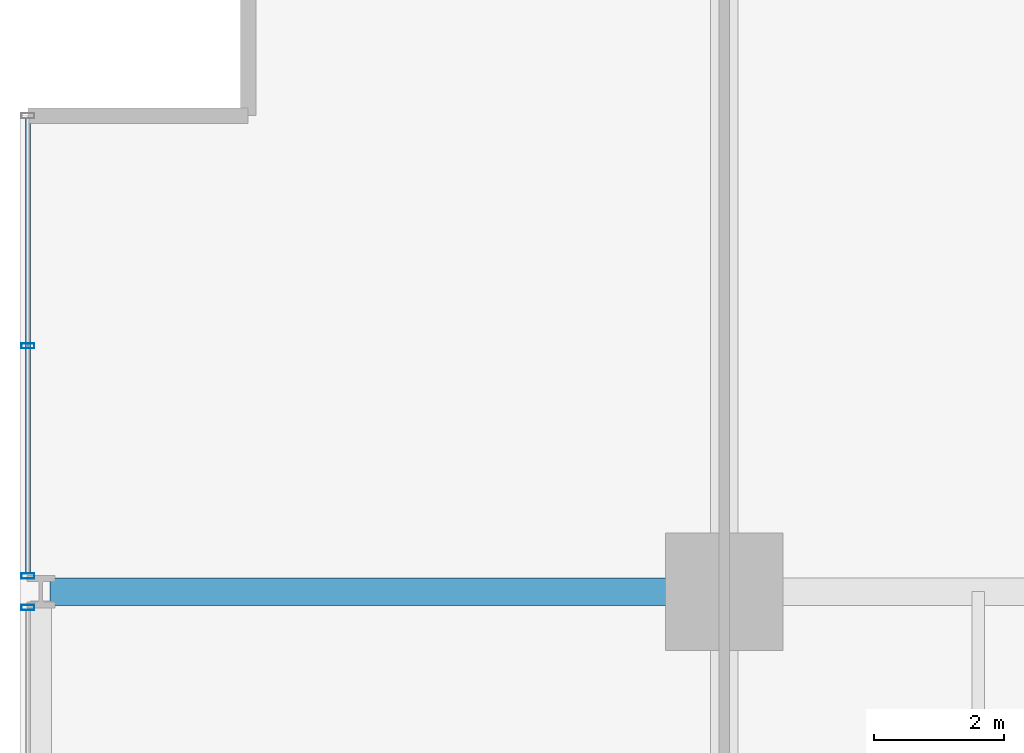
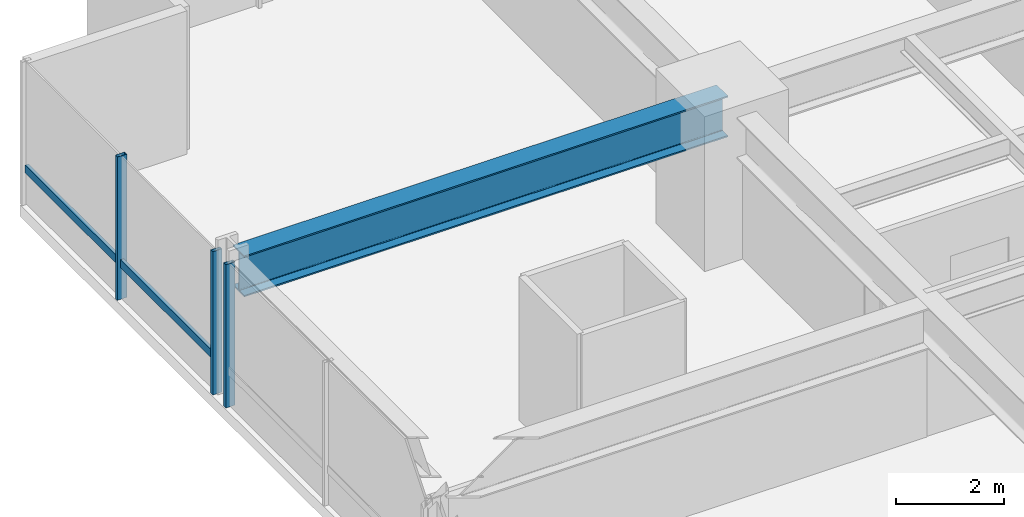
# One storey, part 19 of 37: 4 members, 1 beam, 2 elements without a shape of their own.
"""IFC4 building model written with IfcOpenShell, lengths in metres."""

from ifc_helpers import new_model, si_unit, direction, frame, origin, origin_2d, place, context, subcontext, project, spatial, hollow_rectangle, i_section, extrude, material, layer, layer_set, material_profile, profile_set, type_object, element, aggregate, save


model = new_model("IFC4")

# Units and contexts
model_context = context("Model", 3, precision=1e-05, world=origin(), true_north=direction((0.0, 1.0)))
body_context = subcontext(model_context, "Body", "Model", "MODEL_VIEW")
ifc_project = project(units=[si_unit("LENGTHUNIT", "METRE"), si_unit("AREAUNIT", "SQUARE_METRE"), si_unit("VOLUMEUNIT", "CUBIC_METRE"), si_unit("PLANEANGLEUNIT", "RADIAN"), si_unit("MASSUNIT", "GRAM", prefix="KILO")], contexts=[model_context])

# Site, building, storey
site_placement = place(None, origin())
site = spatial("IfcSite", under=ifc_project, at=site_placement, CompositionType="ELEMENT")
building_placement = place(site_placement, origin())
building = spatial("IfcBuilding", under=site, at=building_placement, Name="Drelvath Grand Hotel", CompositionType="ELEMENT")
storey_placement = place(building_placement, frame((0.0, 0.0, 43.699951171875)))
storey = spatial("IfcBuildingStorey", under=building, at=storey_placement, Name="L09", CompositionType="ELEMENT", Elevation=43.699951171875)

# Curtain wall, member
ifc_material_1 = material(Name="Warm Bronze Anodised Aluminium Frame", Category="aluminium")
ifc_layer = layer(ifc_material_1, 0.199951171875)
ifc_layer_set = layer_set([ifc_layer], Name="Warm Bronze Anodised Aluminium Frame")
curtain_wall_type = type_object("IfcCurtainWallType", Name="Stick Curtain Wall CW-02 Warm Bronze Low-Rise", PredefinedType="NOTDEFINED", material=ifc_layer_set)
curtain_wall_1_placement = place(storey_placement, origin())
curtain_wall_1 = element("IfcCurtainWall", 1, at=curtain_wall_1_placement, inside=storey, type_object=curtain_wall_type, Name="L09 CW-02 Curtain Wall CW02-L09-WN3", PredefinedType="NOTDEFINED")
ifc_material_profile_1 = material_profile(ifc_material_1, hollow_rectangle(XDim=0.074951171875, YDim=0.179931640625, WallThickness=0.0048828125, at=origin_2d()), Name="HSS180X75X5")
ifc_profile_set_1 = profile_set([ifc_material_profile_1], Name="Warm Bronze Anodised Aluminium Frame")
member_type_1 = type_object("IfcMemberType", Name="Curtain Wall Horizontal Transom CW-02 HSS180X75X5", PredefinedType="USERDEFINED", material=ifc_profile_set_1)
member_1_placement = place(storey_placement, frame((-26.8798828125, 43.48095703125, 0.81005859375), z_axis=(0.0, 1.0, 0.0), x_axis=(-1.0, 0.0, 0.0)))
member_1 = element("IfcMember", 2, at=member_1_placement, type_object=member_type_1, Name="CW02-L09-WN3 Sill Transom", ObjectType="TRANSOM", PredefinedType="USERDEFINED", context=body_context, shape_type="SweptSolid", body=[
    extrude(hollow_rectangle(XDim=0.074951171875, YDim=0.179931640625, WallThickness=0.0048828125, at=origin_2d()), origin(), (0.0, 0.0, 1.0), 6.97900390625),
])

curtain_wall_2_placement = place(storey_placement, origin())
curtain_wall_2 = element("IfcCurtainWall", 3, at=curtain_wall_2_placement, inside=storey, type_object=curtain_wall_type, Name="L09 CW-02 Curtain Wall CW02-L09-WN2", PredefinedType="NOTDEFINED")
ifc_material_profile_2 = material_profile(ifc_material_1, hollow_rectangle(XDim=0.080078125, YDim=0.199951171875, WallThickness=0.0048828125, at=origin_2d()), Name="HSS200X80X5")
ifc_profile_set_2 = profile_set([ifc_material_profile_2], Name="Warm Bronze Anodised Aluminium Frame")
member_type_2 = type_object("IfcMemberType", Name="Curtain Wall Vertical Mullion CW-02 HSS200X80X5", PredefinedType="MULLION", material=ifc_profile_set_2)
member_2_placement = place(storey_placement, frame((-26.8798828125, 42.958984375, 0.0), z_axis=(0.0, 0.0, 1.0), x_axis=(0.0, 1.0, 0.0)))
member_2 = element("IfcMember", 4, at=member_2_placement, type_object=member_type_2, Name="CW02-L09-WN2 Mullion 3", PredefinedType="MULLION", context=body_context, shape_type="SweptSolid", body=[
    extrude(hollow_rectangle(XDim=0.080078125, YDim=0.199951171875, WallThickness=0.0048828125, at=origin_2d()), origin(), (0.0, 0.0, 1.0), 3.239990234375),
])
aggregate(curtain_wall_2, [member_2])

# Member
member_3_placement = place(storey_placement, frame((-26.8798828125, 43.44091796875, 0.0), z_axis=(0.0, 0.0, 1.0), x_axis=(0.0, 1.0, 0.0)))
member_3 = element("IfcMember", 5, at=member_3_placement, type_object=member_type_2, Name="CW02-L09-WN3 Mullion 1", PredefinedType="MULLION", context=body_context, shape_type="SweptSolid", body=[
    extrude(hollow_rectangle(XDim=0.080078125, YDim=0.199951171875, WallThickness=0.0048828125, at=origin_2d()), origin(), (0.0, 0.0, 1.0), 3.239990234375),
])

member_4_placement = place(storey_placement, frame((-26.8798828125, 46.970458984375, 0.0), z_axis=(0.0, 0.0, 1.0), x_axis=(0.0, 1.0, 0.0)))
member_4 = element("IfcMember", 6, at=member_4_placement, type_object=member_type_2, Name="CW02-L09-WN3 Mullion 2", PredefinedType="MULLION", context=body_context, shape_type="SweptSolid", body=[
    extrude(hollow_rectangle(XDim=0.080078125, YDim=0.199951171875, WallThickness=0.0048828125, at=origin_2d()), origin(), (0.0, 0.0, 1.0), 3.239990234375),
])

aggregate(curtain_wall_1, [member_3, member_4, member_1])

# Beam
ifc_material_2 = material(Name="Steel ASTM A992 Gr 50", Category="steel")
ifc_material_profile_3 = material_profile(ifc_material_2, i_section(OverallWidth=0.418212890625, OverallDepth=0.926513671875, WebThickness=0.019287109375, FlangeThickness=0.031982421875, FilletRadius=0.028076171875, at=origin_2d()), Name="W36X231")
ifc_profile_set_3 = profile_set([ifc_material_profile_3], Name="Steel ASTM A992 Gr 50")
beam_type = type_object("IfcBeamType", Name="Primary Floor Girder W36X231", PredefinedType="BEAM", material=ifc_profile_set_3)
beam_placement = place(storey_placement, frame((-26.5400390625, 43.199951171875, 2.77685546875), z_axis=(1.0, 0.0, 0.0), x_axis=(0.0, 1.0, 0.0)))
element("IfcBeam", 7, at=beam_placement, inside=storey, type_object=beam_type, Name="L09 West Grid Girder G", PredefinedType="BEAM", context=body_context, shape_type="SweptSolid", body=[
    extrude(i_section(OverallWidth=0.418212890625, OverallDepth=0.926513671875, WebThickness=0.019287109375, FlangeThickness=0.031982421875, FilletRadius=0.028076171875, at=origin_2d()), origin(), (0.0, 0.0, 1.0), 10.340087890625),
])

save(model, "model.ifc")
